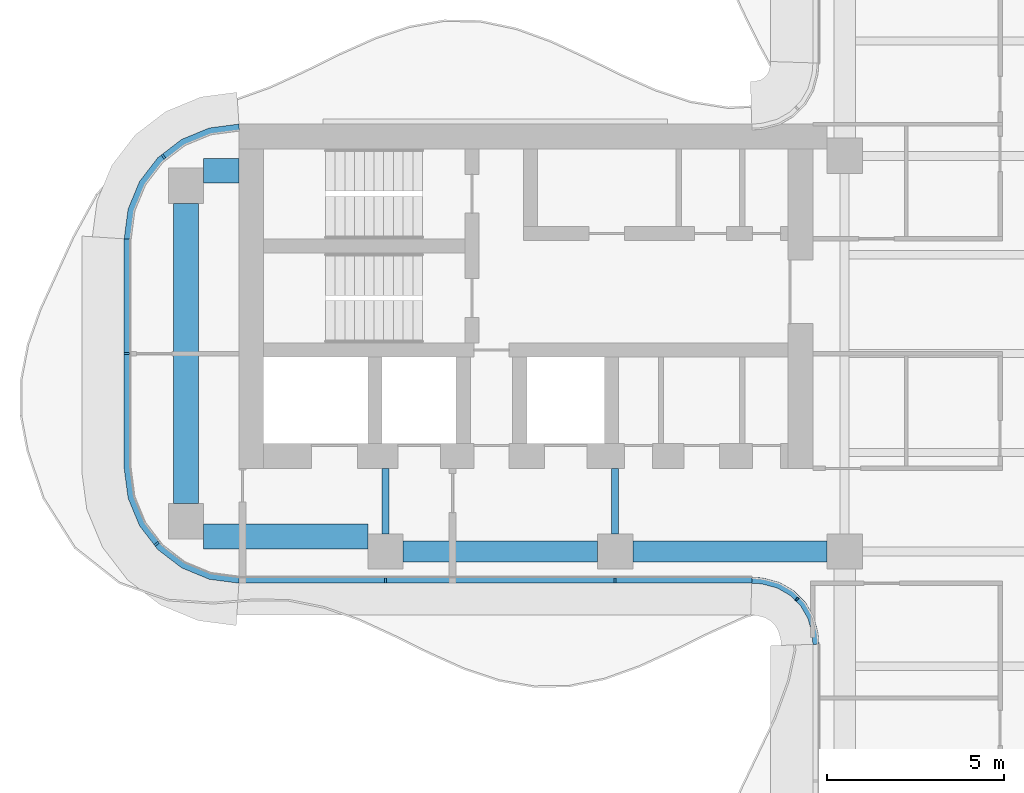
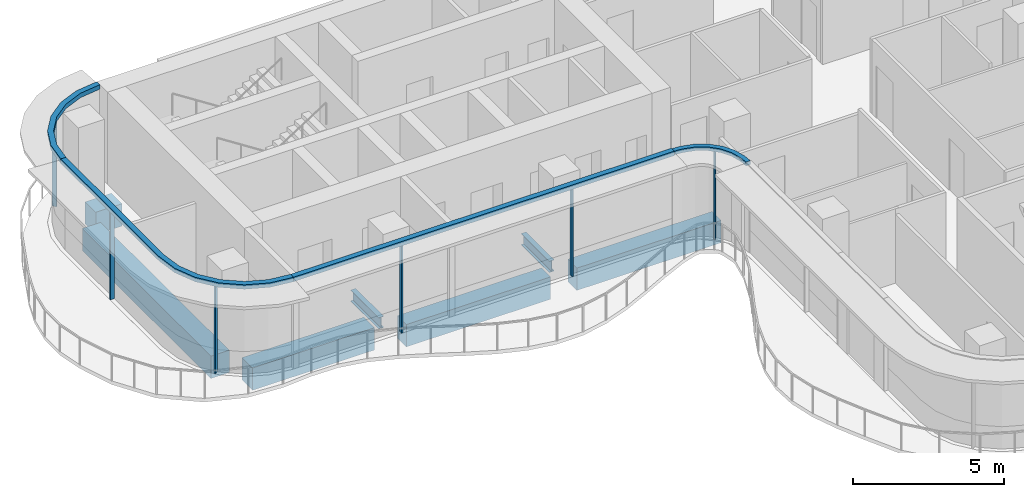
# One storey, part 3 of 16: 10 members, 7 beams, 4 elements without a shape of their own.
"""IFC4 building model written with IfcOpenShell, lengths in metres."""

from ifc_helpers import new_model, si_unit, direction, frame, origin, origin_2d, place, context, subcontext, project, spatial, polyline, rectangle, i_section, outline, extrude, source, transform, mapped, material, layer, layer_set, material_profile, profile_set, type_object, element, aggregate, save


model = new_model("IFC4")

# Units and contexts
model_context = context("Model", 3, precision=1e-05, world=origin(), true_north=direction((0.0, 1.0)))
body_context = subcontext(model_context, "Body", "Model", "MODEL_VIEW")
ifc_project = project(units=[si_unit("LENGTHUNIT", "METRE"), si_unit("AREAUNIT", "SQUARE_METRE"), si_unit("VOLUMEUNIT", "CUBIC_METRE"), si_unit("PLANEANGLEUNIT", "RADIAN"), si_unit("MASSUNIT", "GRAM", prefix="KILO")], contexts=[model_context])

# Site, building, storey
site_placement = place(None, origin())
site = spatial("IfcSite", under=ifc_project, at=site_placement, CompositionType="ELEMENT")
building_placement = place(site_placement, origin())
building = spatial("IfcBuilding", under=site, at=building_placement, Name="Trellis Farm Tower", CompositionType="ELEMENT")
storey_placement = place(building_placement, frame((0.0, 0.0, 306.699951171875)))
storey = spatial("IfcBuildingStorey", under=building, at=storey_placement, Name="L69", CompositionType="ELEMENT", Elevation=306.699951171875)

# Beams
ifc_material_1 = material(Name="Steel S355", Category="steel")
ifc_material_profile_1 = material_profile(ifc_material_1, i_section(OverallWidth=0.1904296875, OverallDepth=0.45703125, WebThickness=0.009033203125, FlangeThickness=0.014404296875, FilletRadius=0.01025390625, at=origin_2d()), Name="UB 457x191x74")
ifc_profile_set_1 = profile_set([ifc_material_profile_1], Name="Steel S355")
beam_type_1 = type_object("IfcBeamType", Name="UB 457x191x74", PredefinedType="BEAM", material=ifc_profile_set_1)
shared_shape_1 = source(origin(), body_context, "Body", "SweptSolid", [
    extrude(i_section(OverallWidth=0.1904296875, OverallDepth=0.45703125, WebThickness=0.009033203125, FlangeThickness=0.014404296875, FilletRadius=0.01025390625, at=origin_2d()), origin(), (0.0, 0.0, 1.0), 1.85009765625),
])
for number, where, z_axis, x_axis, name in (
    (1, (-18.60009765625, -5.10009765625, -0.428466796875), (0.0, 1.0, 0.0), (-1.0, 0.0, 0.0), "Girder"),
    (2, (-12.10009765625, -5.10009765625, -0.428466796875), (0.0, 1.0, 0.0), (-1.0, 0.0, 0.0), "Girder"),
):
    element("IfcBeam", number, at=place(storey_placement, frame(where, z_axis=z_axis, x_axis=x_axis)), inside=storey, type_object=beam_type_1, Name=name, PredefinedType="BEAM", context=body_context, shape_type="MappedRepresentation", body=[
        mapped(shared_shape_1, transform((0.0, 0.0, 0.0))),
    ])
ifc_material_2 = material(Name="Concrete C60/75", Category="concrete")
ifc_material_profile_2 = material_profile(ifc_material_2, rectangle(XDim=0.60009765625, YDim=0.89990234375, at=origin_2d()), Name="RC spandrel beam 600x900 C60/75")
ifc_profile_set_2 = profile_set([ifc_material_profile_2], Name="Concrete C60/75")
beam_type_2 = type_object("IfcBeamType", Name="RC spandrel beam 600x900 C60/75", PredefinedType="SPANDREL", material=ifc_profile_set_2)
shared_shape_2 = source(origin(), body_context, "Body", "SweptSolid", [
    extrude(rectangle(XDim=0.60009765625, YDim=0.89990234375, at=origin_2d()), origin(), (0.0, 0.0, 1.0), 5.5),
])
for number, where, z_axis, x_axis, name in (
    (3, (-18.10009765625, -5.60009765625, -0.64990234375), (1.0, 0.0, 0.0), (0.0, 1.0, 0.0), "Girder"),
    (4, (-11.60009765625, -5.60009765625, -0.64990234375), (1.0, 0.0, 0.0), (0.0, 1.0, 0.0), "Girder"),
):
    element("IfcBeam", number, at=place(storey_placement, frame(where, z_axis=z_axis, x_axis=x_axis)), inside=storey, type_object=beam_type_2, Name=name, PredefinedType="SPANDREL", context=body_context, shape_type="MappedRepresentation", body=[
        mapped(shared_shape_2, transform((0.0, 0.0, 0.0))),
    ])
ifc_material_profile_3 = material_profile(ifc_material_2, rectangle(XDim=0.699951171875, YDim=0.89990234375, at=origin_2d()), Name="RC spandrel beam 700x900 C60/75")
ifc_profile_set_3 = profile_set([ifc_material_profile_3], Name="Concrete C60/75")
beam_type_3 = type_object("IfcBeamType", Name="RC spandrel beam 700x900 C60/75", PredefinedType="SPANDREL", material=ifc_profile_set_3)
shared_shape_3 = source(origin(), body_context, "Body", "SweptSolid", [
    extrude(rectangle(XDim=0.699951171875, YDim=0.89990234375, at=origin_2d()), origin(), (0.0, 0.0, 1.0), 1.0),
])
beam_1_placement = place(storey_placement, frame((-23.75, 5.175048828125, -0.64990234375), z_axis=(1.0, 0.0, 0.0), x_axis=(0.0, 1.0, 0.0)))
element("IfcBeam", 5, at=beam_1_placement, inside=storey, type_object=beam_type_3, Name="Girder", PredefinedType="SPANDREL", context=body_context, shape_type="MappedRepresentation", body=[
    mapped(shared_shape_3, transform((0.0, 0.0, 0.0))),
])
shared_shape_4 = source(origin(), body_context, "Body", "SweptSolid", [
    extrude(rectangle(XDim=0.699951171875, YDim=0.89990234375, at=origin_2d()), origin(), (0.0, 0.0, 1.0), 4.64990234375),
])
beam_2_placement = place(storey_placement, frame((-23.75, -5.175048828125, -0.64990234375), z_axis=(1.0, 0.0, 0.0), x_axis=(0.0, 1.0, 0.0)))
element("IfcBeam", 6, at=beam_2_placement, inside=storey, type_object=beam_type_3, Name="Girder", PredefinedType="SPANDREL", context=body_context, shape_type="MappedRepresentation", body=[
    mapped(shared_shape_4, transform((0.0, 0.0, 0.0))),
])
shared_shape_5 = source(origin(), body_context, "Body", "SweptSolid", [
    extrude(rectangle(XDim=0.699951171875, YDim=0.89990234375, at=origin_2d()), origin(), (0.0, 0.0, 1.0), 8.5),
])
beam_3_placement = place(storey_placement, frame((-24.25, -4.25, -0.64990234375), z_axis=(0.0, 1.0, 0.0), x_axis=(-1.0, 0.0, 0.0)))
element("IfcBeam", 7, at=beam_3_placement, inside=storey, type_object=beam_type_3, Name="Girder", PredefinedType="SPANDREL", context=body_context, shape_type="MappedRepresentation", body=[
    mapped(shared_shape_5, transform((0.0, 0.0, 0.0))),
])

# Curtain wall, member
ifc_material_3 = material(Name="Aluminium and glass curtain wall", Category="aluminium")
ifc_layer_1 = layer(ifc_material_3, 0.166015625)
ifc_layer_set_1 = layer_set([ifc_layer_1], Name="WINTER GARDEN CURTAIN WALL CW3")
curtain_wall_type_1 = type_object("IfcCurtainWallType", Name="WINTER GARDEN CURTAIN WALL CW3", PredefinedType="NOTDEFINED", material=ifc_layer_set_1)
placement_1 = place(storey_placement, origin())
curtain_wall_1 = element("IfcCurtainWall", 8, at=placement_1, inside=storey, type_object=curtain_wall_type_1, Name="CW3 001", PredefinedType="NOTDEFINED")
ifc_material_4 = material(Name="Aluminium extrusion 6063-T6", Category="aluminium")
ifc_layer_2 = layer(ifc_material_4, 0.169921875)
ifc_layer_set_2 = layer_set([ifc_layer_2], Name="Aluminium extrusion 6063-T6")
member_type_1 = type_object("IfcMemberType", Name="CW3 TRANSOM 170x150", PredefinedType="USERDEFINED", material=ifc_layer_set_2)
shared_shape_6 = source(origin(), body_context, "Body", "SweptSolid", [
    extrude(outline(polyline([(-8.2314453125, -6.5), (-8.01953125, -6.513916015625), (-7.91552734375, -6.527587890625), (-7.508544921875, -6.63671875), (-7.144287109375, -6.846923828125), (-6.846923828125, -7.144287109375), (-6.63671875, -7.508544921875), (-6.527587890625, -7.91552734375), (-6.513916015625, -8.01953125), (-6.5, -8.2314453125), (-6.330078125, -8.225830078125), (-6.3447265625, -8.0029296875), (-6.360595703125, -7.88232421875), (-6.478271484375, -7.44287109375), (-6.7109375, -7.0400390625), (-7.0400390625, -6.7109375), (-7.44287109375, -6.478271484375), (-7.88232421875, -6.360595703125), (-8.0029296875, -6.3447265625), (-8.225830078125, -6.330078125), (-8.2314453125, -6.5)])), origin(), (0.0, 0.0, 1.0), 0.14990234375),
])
member_1_placement = place(storey_placement, frame((0.0, 0.0, 3.550048828125)))
member_1 = element("IfcMember", 9, at=member_1_placement, type_object=member_type_1, Name="TR3 001", ObjectType="TRANSOM", PredefinedType="USERDEFINED", context=body_context, shape_type="MappedRepresentation", body=[
    mapped(shared_shape_6, transform((0.0, 0.0, 0.0))),
])

# Curtain wall, members
ifc_layer_3 = layer(ifc_material_3, 0.18994140625)
ifc_layer_set_3 = layer_set([ifc_layer_3], Name="RIBBON CURTAIN WALL CW1")
curtain_wall_type_2 = type_object("IfcCurtainWallType", Name="RIBBON CURTAIN WALL CW1", PredefinedType="NOTDEFINED", material=ifc_layer_set_3)
curtain_wall_2 = element("IfcCurtainWall", 10, at=placement_1, inside=storey, type_object=curtain_wall_type_2, Name="CW1 001", PredefinedType="NOTDEFINED")
ifc_material_profile_4 = material_profile(ifc_material_4, rectangle(XDim=0.06005859375, YDim=0.14990234375, at=origin_2d()), Name="MULLION 60x150")
ifc_profile_set_4 = profile_set([ifc_material_profile_4], Name="Aluminium extrusion 6063-T6")
member_type_2 = type_object("IfcMemberType", Name="CW1 MULLION 60x150", PredefinedType="MULLION", material=ifc_profile_set_4)
shared_shape_7 = source(origin(), body_context, "Body", "SweptSolid", [
    extrude(rectangle(XDim=0.06005859375, YDim=0.14990234375, at=origin_2d()), origin(), (0.0, 0.0, 1.0), 3.52001953125),
])
member_2_placement = place(storey_placement, frame((-18.60009765625, -6.425048828125, 0.0), z_axis=(0.0, 0.0, 1.0), x_axis=(1.0, 0.0, 0.0)))
member_2 = element("IfcMember", 11, at=member_2_placement, type_object=member_type_2, Name="MU1 001-01", PredefinedType="MULLION", context=body_context, shape_type="MappedRepresentation", body=[
    mapped(shared_shape_7, transform((0.0, 0.0, 0.0))),
])
member_3_placement = place(storey_placement, frame((-12.10009765625, -6.425048828125, 0.0), z_axis=(0.0, 0.0, 1.0), x_axis=(1.0, 0.0, 0.0)))
member_3 = element("IfcMember", 12, at=member_3_placement, type_object=member_type_2, Name="MU1 001-02", PredefinedType="MULLION", context=body_context, shape_type="MappedRepresentation", body=[
    mapped(shared_shape_7, transform((0.0, 0.0, 0.0))),
])

# Curtain wall, member
curtain_wall_3 = element("IfcCurtainWall", 13, at=placement_1, inside=storey, type_object=curtain_wall_type_2, Name="CW1 013", PredefinedType="NOTDEFINED")
member_4_placement = place(storey_placement, frame((-24.885498046875, 5.578369140625, 0.0), z_axis=(0.0, 0.0, 1.0), x_axis=(-0.793353340291, -0.608761429009, 0.0)))
member_4 = element("IfcMember", 14, at=member_4_placement, type_object=member_type_2, Name="MU1 013-01", PredefinedType="MULLION", context=body_context, shape_type="MappedRepresentation", body=[
    mapped(shared_shape_7, transform((0.0, 0.0, 0.0))),
])

# Curtain wall, members
curtain_wall_4 = element("IfcCurtainWall", 15, at=placement_1, inside=storey, type_object=curtain_wall_type_2, Name="CW1 014", PredefinedType="NOTDEFINED")
member_5_placement = place(storey_placement, frame((-25.925048828125, 0.0, 0.0), z_axis=(0.0, 0.0, 1.0), x_axis=(0.0, -1.0, 0.0)))
member_5 = element("IfcMember", 16, at=member_5_placement, type_object=member_type_2, Name="MU1 014-01", PredefinedType="MULLION", context=body_context, shape_type="MappedRepresentation", body=[
    mapped(shared_shape_7, transform((0.0, 0.0, 0.0))),
])
member_6_placement = place(storey_placement, frame((-25.078369140625, -5.385498046875, 0.0), z_axis=(0.0, 0.0, 1.0), x_axis=(0.608761429009, -0.793353340291, 0.0)))
member_6 = element("IfcMember", 17, at=member_6_placement, type_object=member_type_2, Name="MU1 014-02", PredefinedType="MULLION", context=body_context, shape_type="MappedRepresentation", body=[
    mapped(shared_shape_7, transform((0.0, 0.0, 0.0))),
])

# Member
ifc_material_profile_5 = material_profile(ifc_material_4, rectangle(XDim=0.050048828125, YDim=0.1201171875, at=origin_2d()), Name="MULLION 50x120")
ifc_profile_set_5 = profile_set([ifc_material_profile_5], Name="Aluminium extrusion 6063-T6")
member_type_3 = type_object("IfcMemberType", Name="CW3 MULLION 50x120", PredefinedType="MULLION", material=ifc_profile_set_5)
shared_shape_8 = source(origin(), body_context, "Body", "SweptSolid", [
    extrude(rectangle(XDim=0.050048828125, YDim=0.1201171875, at=origin_2d()), origin(), (0.0, 0.0, 1.0), 3.550048828125),
])
member_7_placement = place(storey_placement, frame((-6.953125, -6.953125, 0.0), z_axis=(0.0, 0.0, 1.0), x_axis=(0.707106781187, -0.707106781187, 0.0)))
member_7 = element("IfcMember", 18, at=member_7_placement, type_object=member_type_3, Name="MU3 001-01", PredefinedType="MULLION", context=body_context, shape_type="MappedRepresentation", body=[
    mapped(shared_shape_8, transform((0.0, 0.0, 0.0))),
])

aggregate(curtain_wall_1, [member_7, member_1])

ifc_layer_4 = layer(ifc_material_4, 0.199951171875)
ifc_layer_set_4 = layer_set([ifc_layer_4], Name="Aluminium extrusion 6063-T6")
member_type_4 = type_object("IfcMemberType", Name="CW1 TRANSOM 200x180", PredefinedType="USERDEFINED", material=ifc_layer_set_4)
shared_shape_9 = source(origin(), body_context, "Body", "SweptSolid", [
    extrude(outline(polyline([(-22.75, -6.5), (-8.2314453125, -6.5), (-8.224853515625, -6.300048828125), (-22.73681640625, -6.300048828125), (-22.75, -6.5)])), origin(), (0.0, 0.0, 1.0), 0.179931640625),
])
placement_2 = place(storey_placement, frame((0.0, 0.0, 3.52001953125)))
member_8 = element("IfcMember", 19, at=placement_2, type_object=member_type_4, Name="TR1 001", ObjectType="TRANSOM", PredefinedType="USERDEFINED", context=body_context, shape_type="MappedRepresentation", body=[
    mapped(shared_shape_9, transform((0.0, 0.0, 0.0))),
])

aggregate(curtain_wall_2, [member_2, member_3, member_8])

shared_shape_10 = source(origin(), body_context, "Body", "SweptSolid", [
    extrude(outline(polyline([(-22.75, 6.5), (-23.591064453125, 6.38916015625), (-24.375, 6.064697265625), (-25.048095703125, 5.548095703125), (-25.564697265625, 4.875), (-25.88916015625, 4.091064453125), (-26.0, 3.25), (-25.800048828125, 3.23681640625), (-25.6943359375, 4.0390625), (-25.389892578125, 4.774169921875), (-24.905517578125, 5.405517578125), (-24.274169921875, 5.889892578125), (-23.5390625, 6.1943359375), (-22.73681640625, 6.300048828125), (-22.75, 6.5)])), origin(), (0.0, 0.0, 1.0), 0.179931640625),
])
member_9 = element("IfcMember", 20, at=placement_2, type_object=member_type_4, Name="TR1 013", ObjectType="TRANSOM", PredefinedType="USERDEFINED", context=body_context, shape_type="MappedRepresentation", body=[
    mapped(shared_shape_10, transform((0.0, 0.0, 0.0))),
])

aggregate(curtain_wall_3, [member_4, member_9])

shared_shape_11 = source(origin(), body_context, "Body", "SweptSolid", [
    extrude(outline(polyline([(-26.0, 3.25), (-26.0, -3.25), (-25.88916015625, -4.091064453125), (-25.564697265625, -4.875), (-25.048095703125, -5.548095703125), (-24.375, -6.064697265625), (-23.591064453125, -6.38916015625), (-22.75, -6.5), (-22.73681640625, -6.300048828125), (-23.5390625, -6.1943359375), (-24.274169921875, -5.889892578125), (-24.905517578125, -5.405517578125), (-25.389892578125, -4.774169921875), (-25.6943359375, -4.0390625), (-25.800048828125, -3.23681640625), (-25.800048828125, 3.23681640625), (-26.0, 3.25)])), origin(), (0.0, 0.0, 1.0), 0.179931640625),
])
member_10 = element("IfcMember", 21, at=placement_2, type_object=member_type_4, Name="TR1 014", ObjectType="TRANSOM", PredefinedType="USERDEFINED", context=body_context, shape_type="MappedRepresentation", body=[
    mapped(shared_shape_11, transform((0.0, 0.0, 0.0))),
])

aggregate(curtain_wall_4, [member_5, member_6, member_10])

save(model, "model.ifc")
